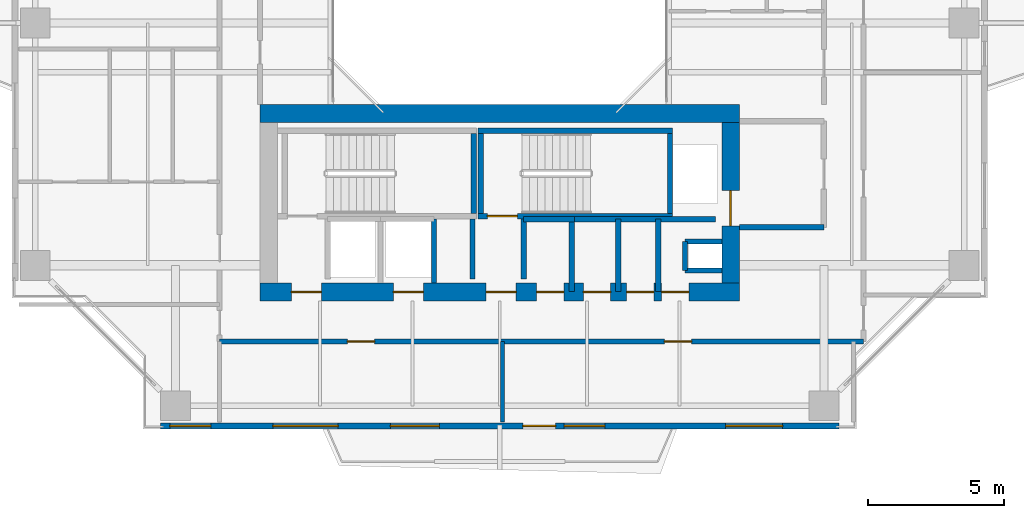
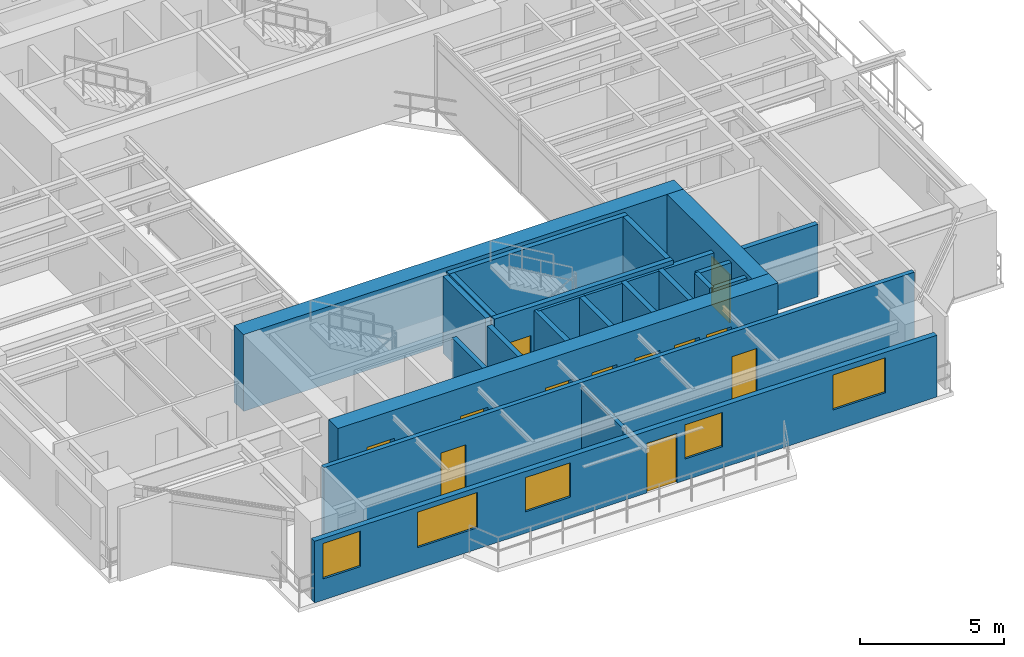
# One storey, part 10 of 17: 23 walls, 12 doors, 5 windows, 17 openings.
"""IFC4 building model written with IfcOpenShell, lengths in metres."""

import ifcopenshell
import ifcopenshell.guid

model = None  # the IFC model being written
_history = None  # IfcOwnerHistory: only IFC2X3 demands one
_inside = {}  # id of a spatial element -> (the spatial element, [elements in it])
_under = {}  # id of a project, library or spatial element -> (it, [spatial elements below it])
_declared = {}  # id of a project -> (the project, [libraries it declares])
_typed = {}  # id of a type object -> (the type object, [elements of that type])
_made_of = {}  # id of a material, layer set ... -> (it, [elements and type objects made of it])


def new_model(schema):
    """Start an empty IFC model of exactly this schema.

    Asked for "IFC4X3", IfcOpenShell would pick the latest addendum, in which some entities
    have other attributes; the version numbers below select the first issue.
    IFC2X3 requires an IfcOwnerHistory on every rooted entity: one is made here for all.
    """
    global model, _history
    if schema == "IFC4X3":
        model = ifcopenshell.file(schema_version=(4, 3, 0, 0))
    else:
        model = ifcopenshell.file(schema=schema)
    _inside.clear()
    _under.clear()
    _declared.clear()
    _typed.clear()
    _made_of.clear()
    _history = None
    if model.schema == "IFC2X3":
        org = make("IfcOrganization", Name="unknown")
        user = make(
            "IfcPersonAndOrganization",
            ThePerson=make("IfcPerson", FamilyName="unknown"),
            TheOrganization=org,
        )
        app = make(
            "IfcApplication",
            ApplicationDeveloper=org,
            Version="unknown",
            ApplicationFullName="unknown",
            ApplicationIdentifier="unknown",
        )
        _history = make(
            "IfcOwnerHistory",
            OwningUser=user,
            OwningApplication=app,
            ChangeAction="ADDED",
            CreationDate=0,
        )
    return model


def make(cls, **values):
    """One entity of the class cls with the attributes given. An attribute that is None is left unset."""
    return model.create_entity(
        cls, **{name: value for name, value in values.items() if value is not None}
    )


def rooted(cls, **values):
    """An entity with a GlobalId (a new one), such as an element, a storey or a relation."""
    return make(cls, GlobalId=ifcopenshell.guid.new(), OwnerHistory=_history, **values)


def si_unit(unit_type, name, prefix=None):
    """IfcSIUnit, for example si_unit("LENGTHUNIT", "METRE", prefix="MILLI")."""
    return make("IfcSIUnit", UnitType=unit_type, Prefix=prefix, Name=name)


def assignment(units):
    """IfcUnitAssignment: the units of a project."""
    return None if units is None else make("IfcUnitAssignment", Units=units)


def point(xyz):
    """IfcCartesianPoint."""
    return None if xyz is None else make("IfcCartesianPoint", Coordinates=xyz)


def direction(xyz):
    """IfcDirection."""
    return None if xyz is None else make("IfcDirection", DirectionRatios=xyz)


def frame(location, z_axis=None, x_axis=None):
    """IfcAxis2Placement3D, a coordinate frame: its origin and axes. An axis left out is left unset."""
    return make(
        "IfcAxis2Placement3D",
        Location=point(location),
        Axis=direction(z_axis),
        RefDirection=direction(x_axis),
    )


def frame_2d(location, x_axis=None):
    """IfcAxis2Placement2D, a coordinate frame in the plane: its origin and x axis."""
    return make(
        "IfcAxis2Placement2D", Location=point(location), RefDirection=direction(x_axis)
    )


def origin():
    """The frame at (0, 0, 0) with its axes left unset."""
    return frame((0.0, 0.0, 0.0))


def place(relative_to, where):
    """IfcLocalPlacement: puts the frame where relative to a parent placement (None: the world)."""
    return make(
        "IfcLocalPlacement", PlacementRelTo=relative_to, RelativePlacement=where
    )


def context(
    kind, dimensions, precision=None, world=None, true_north=None, identifier=None
):
    """IfcGeometricRepresentationContext, for example the 3D "Model" context."""
    return make(
        "IfcGeometricRepresentationContext",
        ContextIdentifier=identifier,
        ContextType=kind,
        CoordinateSpaceDimension=dimensions,
        Precision=precision,
        WorldCoordinateSystem=world,
        TrueNorth=true_north,
    )


def subcontext(parent, identifier, kind, view, scale=None):
    """IfcGeometricRepresentationSubContext, for example "Body" below "Model"."""
    return make(
        "IfcGeometricRepresentationSubContext",
        ContextIdentifier=identifier,
        ContextType=kind,
        ParentContext=parent,
        TargetScale=scale,
        TargetView=view,
    )


def project(units=None, contexts=None):
    """IfcProject with its units and contexts."""
    return rooted(
        "IfcProject",
        Name="project",
        RepresentationContexts=contexts,
        UnitsInContext=assignment(units),
    )


def spatial(cls, under=None, at=None, **own):
    """A site, building, storey or space (cls), placed at a placement, below another one or the project."""
    s = rooted(cls, ObjectPlacement=at, **own)
    if under is not None:
        _under.setdefault(under.id(), (under, []))[1].append(s)
    return s


def profile(cls, at=None, kind="AREA", **sizes):
    """A parametric profile (cls). Its sizes go by their IFC names, for example OverallWidth=200.0."""
    return make(cls, ProfileType=kind, Position=at, **sizes)


def rectangle(**sizes):
    """IfcRectangleProfileDef."""
    return profile("IfcRectangleProfileDef", **sizes)


def extrude(swept, where, along, depth):
    """IfcExtrudedAreaSolid: the profile swept, set in the frame where, extruded along a direction by depth."""
    return make(
        "IfcExtrudedAreaSolid",
        SweptArea=swept,
        Position=where,
        ExtrudedDirection=direction(along),
        Depth=depth,
    )


def shape(context_of_items, identifier, shape_type, items):
    """IfcShapeRepresentation: the items that make up one representation, for example the "Body"."""
    return make(
        "IfcShapeRepresentation",
        ContextOfItems=context_of_items,
        RepresentationIdentifier=identifier,
        RepresentationType=shape_type,
        Items=items,
    )


def source(mapping_origin, context_of_items, identifier, shape_type, items):
    """IfcRepresentationMap: a shape defined once, which mapped items show again and again."""
    return make(
        "IfcRepresentationMap",
        MappingOrigin=mapping_origin,
        MappedRepresentation=shape(context_of_items, identifier, shape_type, items),
    )


def transform(
    local_origin,
    x_axis=None,
    y_axis=None,
    z_axis=None,
    scale=None,
    scale2=None,
    scale3=None,
    uniform=True,
):
    """IfcCartesianTransformationOperator3D, or its non-uniform kind. x_axis, y_axis, z_axis: its Axis1, 2, 3."""
    if uniform:
        return make(
            "IfcCartesianTransformationOperator3D",
            Axis1=direction(x_axis),
            Axis2=direction(y_axis),
            LocalOrigin=point(local_origin),
            Scale=scale,
            Axis3=direction(z_axis),
        )
    return make(
        "IfcCartesianTransformationOperator3DnonUniform",
        Axis1=direction(x_axis),
        Axis2=direction(y_axis),
        LocalOrigin=point(local_origin),
        Scale=scale,
        Axis3=direction(z_axis),
        Scale2=scale2,
        Scale3=scale3,
    )


def mapped(mapping_source, mapping_target):
    """IfcMappedItem: shows the shape of a source again, moved by a transform."""
    return make(
        "IfcMappedItem", MappingSource=mapping_source, MappingTarget=mapping_target
    )


def material(Name=None, Category=None):
    """IfcMaterial."""
    return make("IfcMaterial", Name=Name, Category=Category)


def layer(
    of_material, thickness, ventilated=None, Name=None, Category=None, Priority=None
):
    """IfcMaterialLayer: one layer of a wall or slab, of a material (None: an air gap)."""
    return make(
        "IfcMaterialLayer",
        Material=of_material,
        LayerThickness=thickness,
        IsVentilated=ventilated,
        Name=Name,
        Category=Category,
        Priority=Priority,
    )


def layer_set(layers, Name=None):
    """IfcMaterialLayerSet."""
    return make("IfcMaterialLayerSet", MaterialLayers=layers, LayerSetName=Name)


def made_of(thing, what):
    """Note that an element or type object is made of a material, layer set ...; save() writes the relation."""
    if what is not None:
        _made_of.setdefault(what.id(), (what, []))[1].append(thing)
    return thing


def type_object(cls, material=None, **own):
    """A type object (cls), such as IfcWallType, which elements share."""
    return made_of(rooted(cls, **own), material)


def element(
    cls,
    number,
    at=None,
    inside=None,
    cuts=None,
    type_object=None,
    material=None,
    context=None,
    identifier="Body",
    shape_type=None,
    held_by="IfcProductDefinitionShape",
    body=None,
    shapes=None,
    **own,
):
    """One element of the class cls, such as IfcWall. Its Tag is "e" and its number.

    at: its placement. inside: the storey or other place that contains it. cuts: it is an
    opening in that element (IfcRelVoidsElement). A single representation is given by context,
    identifier, shape_type and body (its items); several are given by shapes. held_by: the class
    of the entity that holds the representations. save() writes the other relations.
    """
    e = rooted(cls, Tag="e%d" % number, ObjectPlacement=at, **own)
    if body is not None:
        shapes = [shape(context, identifier, shape_type, body)]
    if shapes is not None:
        e.Representation = make(held_by, Representations=shapes)
    if inside is not None:
        _inside.setdefault(inside.id(), (inside, []))[1].append(e)
    if cuts is not None:
        rooted(
            "IfcRelVoidsElement", RelatingBuildingElement=cuts, RelatedOpeningElement=e
        )
    if type_object is not None:
        _typed.setdefault(type_object.id(), (type_object, []))[1].append(e)
    return made_of(e, material)


def fill(opening, filler):
    """IfcRelFillsElement: the door or window that sits in an opening."""
    return rooted(
        "IfcRelFillsElement",
        RelatingOpeningElement=opening,
        RelatedBuildingElement=filler,
    )


def aggregate(whole, parts):
    """IfcRelAggregates: a whole, such as a stair, and the parts it consists of."""
    return rooted("IfcRelAggregates", RelatingObject=whole, RelatedObjects=parts)


def save(model, path):
    """Write the relations noted so far, then the file.

    IfcRelAggregates (storeys below a building ...), IfcRelContainedInSpatialStructure (elements
    in a storey), IfcRelDefinesByType, IfcRelAssociatesMaterial and IfcRelDeclares: one each for
    every whole, place, type object, material and project.
    """
    for whole, parts in _under.values():
        aggregate(whole, parts)
    for where, things in _inside.values():
        rooted(
            "IfcRelContainedInSpatialStructure",
            RelatedElements=things,
            RelatingStructure=where,
        )
    for kind, things in _typed.values():
        rooted("IfcRelDefinesByType", RelatedObjects=things, RelatingType=kind)
    for what, things in _made_of.values():
        rooted("IfcRelAssociatesMaterial", RelatedObjects=things, RelatingMaterial=what)
    for by, libraries in _declared.values():
        rooted("IfcRelDeclares", RelatingContext=by, RelatedDefinitions=libraries)
    model.write(path)


model = new_model("IFC4")

# Units and contexts
model_context = context("Model", 3, precision=1e-05, world=origin(), true_north=direction((0.0, 1.0)))
body_context = subcontext(model_context, "Body", "Model", "MODEL_VIEW")
ifc_project = project(units=[si_unit("LENGTHUNIT", "METRE"), si_unit("AREAUNIT", "SQUARE_METRE"), si_unit("VOLUMEUNIT", "CUBIC_METRE"), si_unit("PLANEANGLEUNIT", "RADIAN"), si_unit("MASSUNIT", "GRAM", prefix="KILO"), si_unit("THERMODYNAMICTEMPERATUREUNIT", "KELVIN"), si_unit("POWERUNIT", "WATT")], contexts=[model_context])

# Site, building, storey
site_placement = place(None, origin())
site = spatial("IfcSite", under=ifc_project, at=site_placement, CompositionType="ELEMENT")
building_placement = place(site_placement, origin())
building = spatial("IfcBuilding", under=site, at=building_placement, Name="Qiaomeng Ring Towers", CompositionType="ELEMENT")
storey_placement = place(building_placement, frame((0.0, 0.0, 123.0)))
storey = spatial("IfcBuildingStorey", under=building, at=storey_placement, Name="L35", CompositionType="ELEMENT", Elevation=123.0)

# Wall, openings, windows, door
ifc_material_1 = material(Name="Precast concrete C40", Category="concrete")
ifc_layer_1 = layer(ifc_material_1, 0.219970703125, Name="Precast concrete C40")
ifc_layer_set_1 = layer_set([ifc_layer_1], Name="Precast concrete C40")
wall_type_1 = type_object("IfcWallType", Name="ARC-WL-EW2", PredefinedType="STANDARD", material=ifc_layer_set_1)
wall_1_placement = place(storey_placement, frame((6.550048828125, 5.2099609375, 0.0), z_axis=(0.0, 0.0, 1.0), x_axis=(1.0, 0.0, 0.0)))
wall_1 = element("IfcWall", 1, at=wall_1_placement, inside=storey, type_object=wall_type_1, Name="L35 Tower 1 S Exterior Wall", PredefinedType="STANDARD", context=body_context, shape_type="SweptSolid", body=[
    extrude(rectangle(XDim=24.89990234375, YDim=0.219970703125, at=frame_2d((12.449951171875, 0.0))), origin(), (0.0, 0.0, 1.0), 2.610107421875),
])
opening_1_placement = place(wall_1_placement, frame((13.300048828125, 0.0, 0.0)))
opening_1 = element("IfcOpeningElement", 2, at=opening_1_placement, cuts=wall_1, Name="Opening BD1", PredefinedType="OPENING", context=body_context, shape_type="SweptSolid", body=[
    extrude(rectangle(XDim=1.199951171875, YDim=2.10009765625, at=frame_2d((0.60009765625, 1.050048828125))), frame((0.0, 0.119873046875, 0.0), z_axis=(0.0, -1.0, 0.0), x_axis=(1.0, 0.0, 0.0)), (0.0, 0.0, 1.0), 0.239990234375),
])
opening_2_placement = place(wall_1_placement, frame((0.342529296875, 0.0, 0.89990234375)))
opening_2 = element("IfcOpeningElement", 3, at=opening_2_placement, cuts=wall_1, Name="Opening WN2", PredefinedType="OPENING", context=body_context, shape_type="SweptSolid", body=[
    extrude(rectangle(XDim=1.5, YDim=1.5, at=frame_2d((0.75, 0.75))), frame((0.0, 0.119873046875, 0.0), z_axis=(0.0, -1.0, 0.0), x_axis=(1.0, 0.0, 0.0)), (0.0, 0.0, 1.0), 0.239990234375),
])
opening_3_placement = place(wall_1_placement, frame((8.43798828125, 0.0, 0.89990234375)))
opening_3 = element("IfcOpeningElement", 4, at=opening_3_placement, cuts=wall_1, Name="Opening WN1", PredefinedType="OPENING", context=body_context, shape_type="SweptSolid", body=[
    extrude(rectangle(XDim=1.800048828125, YDim=1.449951171875, at=frame_2d((0.89990234375, 0.72509765625))), frame((0.0, 0.119873046875, 0.0), z_axis=(0.0, -1.0, 0.0), x_axis=(1.0, 0.0, 0.0)), (0.0, 0.0, 1.0), 0.239990234375),
])
opening_4_placement = place(wall_1_placement, frame((14.81298828125, 0.0, 0.89990234375)))
opening_4 = element("IfcOpeningElement", 5, at=opening_4_placement, cuts=wall_1, Name="Opening WN2", PredefinedType="OPENING", context=body_context, shape_type="SweptSolid", body=[
    extrude(rectangle(XDim=1.5, YDim=1.449951171875, at=frame_2d((0.75, 0.72509765625))), frame((0.0, 0.119873046875, 0.0), z_axis=(0.0, -1.0, 0.0), x_axis=(1.0, 0.0, 0.0)), (0.0, 0.0, 1.0), 0.239990234375),
])
opening_5_placement = place(wall_1_placement, frame((20.738037109375, 0.0, 0.89990234375)))
opening_5 = element("IfcOpeningElement", 6, at=opening_5_placement, cuts=wall_1, Name="Opening WN4", PredefinedType="OPENING", context=body_context, shape_type="SweptSolid", body=[
    extrude(rectangle(XDim=2.10009765625, YDim=1.47998046875, at=frame_2d((1.050048828125, 0.739990234375))), frame((0.0, 0.119873046875, 0.0), z_axis=(0.0, -1.0, 0.0), x_axis=(1.0, 0.0, 0.0)), (0.0, 0.0, 1.0), 0.239990234375),
])
opening_6_placement = place(wall_1_placement, frame((4.12158203125, 0.0, 0.89990234375)))
opening_6 = element("IfcOpeningElement", 7, at=opening_6_placement, cuts=wall_1, Name="Opening WN6", PredefinedType="OPENING", context=body_context, shape_type="SweptSolid", body=[
    extrude(rectangle(XDim=2.39990234375, YDim=1.5, at=frame_2d((1.199951171875, 0.75))), frame((0.0, 0.119873046875, 0.0), z_axis=(0.0, -1.0, 0.0), x_axis=(1.0, 0.0, 0.0)), (0.0, 0.0, 1.0), 0.239990234375),
])
ifc_material_2 = material(Name="Low-E dark-grey laminated double glazing", Category="glass")
window_type_1 = type_object("IfcWindowType", Name="ARC-WN-2", PartitioningType="DOUBLE_PANEL_VERTICAL", PredefinedType="WINDOW", material=ifc_material_2)
shared_shape_1 = source(origin(), body_context, "Body", "SweptSolid", [
    extrude(rectangle(XDim=1.5, YDim=1.449951171875, at=frame_2d((0.75, 0.72509765625))), frame((0.0, 0.030029296875, 0.0), z_axis=(0.0, -1.0, 0.0), x_axis=(1.0, 0.0, 0.0)), (0.0, 0.0, 1.0), 0.06005859375),
])
window_1_placement = place(opening_4_placement, origin())
window_1 = element("IfcWindow", 8, at=window_1_placement, inside=storey, type_object=window_type_1, Name="L35 Exterior Window WN2", OverallHeight=1.449951171875, OverallWidth=1.5, PartitioningType="DOUBLE_PANEL_VERTICAL", PredefinedType="WINDOW", context=body_context, shape_type="MappedRepresentation", body=[
    mapped(shared_shape_1, transform((0.0, 0.0, 0.0), x_axis=(1.0, 0.0, 0.0), y_axis=(0.0, 1.0, 0.0), z_axis=(0.0, 0.0, 1.0), scale=1.0)),
])
fill(opening_4, window_1)
window_type_2 = type_object("IfcWindowType", Name="ARC-WN-4", PartitioningType="TRIPLE_PANEL_VERTICAL", PredefinedType="WINDOW", material=ifc_material_2)
shared_shape_2 = source(origin(), body_context, "Body", "SweptSolid", [
    extrude(rectangle(XDim=2.10009765625, YDim=1.47998046875, at=frame_2d((1.050048828125, 0.739990234375))), frame((0.0, 0.030029296875, 0.0), z_axis=(0.0, -1.0, 0.0), x_axis=(1.0, 0.0, 0.0)), (0.0, 0.0, 1.0), 0.06005859375),
])
window_2_placement = place(opening_5_placement, origin())
window_2 = element("IfcWindow", 9, at=window_2_placement, inside=storey, type_object=window_type_2, Name="L35 Exterior Window WN4", OverallHeight=1.47998046875, OverallWidth=2.10009765625, PartitioningType="TRIPLE_PANEL_VERTICAL", PredefinedType="WINDOW", context=body_context, shape_type="MappedRepresentation", body=[
    mapped(shared_shape_2, transform((0.0, 0.0, 0.0), x_axis=(1.0, 0.0, 0.0), y_axis=(0.0, 1.0, 0.0), z_axis=(0.0, 0.0, 1.0), scale=1.0)),
])
fill(opening_5, window_2)
window_type_3 = type_object("IfcWindowType", Name="ARC-WN-1", PartitioningType="DOUBLE_PANEL_VERTICAL", PredefinedType="WINDOW", material=ifc_material_2)
shared_shape_3 = source(origin(), body_context, "Body", "SweptSolid", [
    extrude(rectangle(XDim=1.800048828125, YDim=1.449951171875, at=frame_2d((0.89990234375, 0.72509765625))), frame((0.0, 0.030029296875, 0.0), z_axis=(0.0, -1.0, 0.0), x_axis=(1.0, 0.0, 0.0)), (0.0, 0.0, 1.0), 0.06005859375),
])
window_3_placement = place(opening_3_placement, origin())
window_3 = element("IfcWindow", 10, at=window_3_placement, inside=storey, type_object=window_type_3, Name="L35 Exterior Window WN1", OverallHeight=1.449951171875, OverallWidth=1.800048828125, PartitioningType="DOUBLE_PANEL_VERTICAL", PredefinedType="WINDOW", context=body_context, shape_type="MappedRepresentation", body=[
    mapped(shared_shape_3, transform((0.0, 0.0, 0.0), x_axis=(1.0, 0.0, 0.0), y_axis=(0.0, 1.0, 0.0), z_axis=(0.0, 0.0, 1.0), scale=1.0)),
])
fill(opening_3, window_3)
door_type_1 = type_object("IfcDoorType", Name="ARC-DR-BD1", OperationType="NOTDEFINED", PredefinedType="DOOR", material=ifc_material_2)
shared_shape_4 = source(origin(), body_context, "Body", "SweptSolid", [
    extrude(rectangle(XDim=1.199951171875, YDim=2.10009765625, at=frame_2d((0.60009765625, 1.050048828125))), frame((0.0, 0.02490234375, 0.0), z_axis=(0.0, -1.0, 0.0), x_axis=(1.0, 0.0, 0.0)), (0.0, 0.0, 1.0), 0.050048828125),
])
door_1_placement = place(opening_1_placement, frame((1.199951171875, 0.0, 0.0), z_axis=(0.0, 0.0, 1.0), x_axis=(-1.0, 0.0, 0.0)))
door_1 = element("IfcDoor", 11, at=door_1_placement, inside=storey, type_object=door_type_1, Name="L35 S Balcony Glazed Door", OperationType="SINGLE_SWING_LEFT", OverallHeight=2.10009765625, OverallWidth=1.199951171875, PredefinedType="DOOR", context=body_context, shape_type="MappedRepresentation", body=[
    mapped(shared_shape_4, transform((0.0, 0.0, 0.0), x_axis=(1.0, 0.0, 0.0), y_axis=(0.0, 1.0, 0.0), z_axis=(0.0, 0.0, 1.0), scale=1.0)),
])
fill(opening_1, door_1)
shared_shape_5 = source(origin(), body_context, "Body", "SweptSolid", [
    extrude(rectangle(XDim=1.5, YDim=1.5, at=frame_2d((0.75, 0.75))), frame((0.0, 0.030029296875, 0.0), z_axis=(0.0, -1.0, 0.0), x_axis=(1.0, 0.0, 0.0)), (0.0, 0.0, 1.0), 0.06005859375),
])
window_4_placement = place(opening_2_placement, origin())
window_4 = element("IfcWindow", 12, at=window_4_placement, inside=storey, type_object=window_type_1, Name="L35 Exterior Window WN6", OverallHeight=1.5, OverallWidth=1.5, PartitioningType="TRIPLE_PANEL_VERTICAL", PredefinedType="WINDOW", context=body_context, shape_type="MappedRepresentation", body=[
    mapped(shared_shape_5, transform((0.0, 0.0, 0.0), x_axis=(1.0, 0.0, 0.0), y_axis=(0.0, 1.0, 0.0), z_axis=(0.0, 0.0, 1.0), scale=1.0)),
])
fill(opening_2, window_4)
window_type_4 = type_object("IfcWindowType", Name="ARC-WN-6", PartitioningType="TRIPLE_PANEL_VERTICAL", PredefinedType="WINDOW", material=ifc_material_2)
shared_shape_6 = source(origin(), body_context, "Body", "SweptSolid", [
    extrude(rectangle(XDim=2.39990234375, YDim=1.5, at=frame_2d((1.199951171875, 0.75))), frame((0.0, 0.030029296875, 0.0), z_axis=(0.0, -1.0, 0.0), x_axis=(1.0, 0.0, 0.0)), (0.0, 0.0, 1.0), 0.06005859375),
])
window_5_placement = place(opening_6_placement, origin())
window_5 = element("IfcWindow", 13, at=window_5_placement, inside=storey, type_object=window_type_4, Name="L35 Exterior Window WN6", OverallHeight=1.5, OverallWidth=2.39990234375, PartitioningType="TRIPLE_PANEL_VERTICAL", PredefinedType="WINDOW", context=body_context, shape_type="MappedRepresentation", body=[
    mapped(shared_shape_6, transform((0.0, 0.0, 0.0), x_axis=(1.0, 0.0, 0.0), y_axis=(0.0, 1.0, 0.0), z_axis=(0.0, 0.0, 1.0), scale=1.0)),
])
fill(opening_6, window_5)

# Walls
ifc_material_3 = material(Name="Autoclaved aerated concrete block", Category="concrete")
ifc_layer_2 = layer(ifc_material_3, 0.199951171875, Name="Autoclaved aerated concrete block")
ifc_layer_set_2 = layer_set([ifc_layer_2], Name="Autoclaved aerated concrete block")
wall_type_2 = type_object("IfcWallType", Name="ARC-WL-PW1", PredefinedType="PARTITIONING", material=ifc_layer_set_2)
wall_2_placement = place(storey_placement, frame((27.800048828125, 12.5, 0.0), z_axis=(0.0, 0.0, 1.0), x_axis=(1.0, 0.0, 0.0)))
element("IfcWall", 14, at=wall_2_placement, inside=storey, type_object=wall_type_2, Name="L35 Interior Wall PW1", PredefinedType="PARTITIONING", context=body_context, shape_type="SweptSolid", body=[
    extrude(rectangle(XDim=3.099853515625, YDim=0.199951171875, at=frame_2d((1.5498046875, 0.0))), origin(), (0.0, 0.0, 1.0), 3.070068359375),
])
for number, where, z_axis, x_axis, name in (
    (15, (18.0, 10.60009765625, 0.0), (0.0, 0.0, 1.0), (0.0, 1.0, 0.0), "L35 Interior Wall PW1"),
    (16, (19.8798828125, 10.60009765625, 0.0), (0.0, 0.0, 1.0), (0.0, 1.0, 0.0), "L35 Interior Wall PW1"),
):
    element("IfcWall", number, at=place(storey_placement, frame(where, z_axis=z_axis, x_axis=x_axis)), inside=storey, type_object=wall_type_2, Name=name, PredefinedType="PARTITIONING", context=body_context, shape_type="SweptSolid", body=[
        extrude(rectangle(XDim=2.2099609375, YDim=0.199951171875, at=frame_2d((1.10498046875, 0.0))), origin(), (0.0, 0.0, 1.0), 3.070068359375),
    ])
wall_3_placement = place(storey_placement, frame((24.820068359375, 10.14990234375, 0.0), z_axis=(0.0, 0.0, 1.0), x_axis=(0.0, 1.0, 0.0)))
element("IfcWall", 17, at=wall_3_placement, inside=storey, type_object=wall_type_2, Name="L35 Interior Wall PW1", PredefinedType="PARTITIONING", context=body_context, shape_type="SweptSolid", body=[
    extrude(rectangle(XDim=2.650146484375, YDim=0.199951171875, at=frame_2d((1.3251953125, 0.0))), origin(), (0.0, 0.0, 1.0), 3.070068359375),
])
wall_4_placement = place(storey_placement, frame((19.8798828125, 12.800048828125, 0.0), z_axis=(0.0, 0.0, 1.0), x_axis=(1.0, 0.0, 0.0)))
element("IfcWall", 18, at=wall_4_placement, inside=storey, type_object=wall_type_2, Name="L35 Interior Wall PW1", PredefinedType="PARTITIONING", context=body_context, shape_type="SweptSolid", body=[
    extrude(rectangle(XDim=1.8701171875, YDim=0.199951171875, at=frame_2d((0.93505859375, 0.0))), origin(), (0.0, 0.0, 1.0), 3.070068359375),
])
for number, where, z_axis, x_axis, name in (
    (19, (21.639892578125, 10.14990234375, 0.0), (0.0, 0.0, 1.0), (0.0, 1.0, 0.0), "L35 Interior Wall PW1"),
    (20, (23.35009765625, 10.14990234375, 0.0), (0.0, 0.0, 1.0), (0.0, 1.0, 0.0), "L35 Interior Wall PW1"),
):
    element("IfcWall", number, at=place(storey_placement, frame(where, z_axis=z_axis, x_axis=x_axis)), inside=storey, type_object=wall_type_2, Name=name, PredefinedType="PARTITIONING", context=body_context, shape_type="SweptSolid", body=[
        extrude(rectangle(XDim=2.650146484375, YDim=0.199951171875, at=frame_2d((1.3251953125, 0.0))), origin(), (0.0, 0.0, 1.0), 3.070068359375),
    ])
wall_5_placement = place(storey_placement, frame((21.75, 12.800048828125, 0.0), z_axis=(0.0, 0.0, 1.0), x_axis=(1.0, 0.0, 0.0)))
element("IfcWall", 21, at=wall_5_placement, inside=storey, type_object=wall_type_2, Name="L35 Interior Wall PW1", PredefinedType="PARTITIONING", context=body_context, shape_type="SweptSolid", body=[
    extrude(rectangle(XDim=5.169921875, YDim=0.199951171875, at=frame_2d((2.5849609375, 0.0))), origin(), (0.0, 0.0, 1.0), 3.070068359375),
])

# Wall, openings, doors
ifc_layer_3 = layer(ifc_material_3, 0.179931640625, Name="Autoclaved aerated concrete block")
ifc_layer_set_3 = layer_set([ifc_layer_3], Name="Autoclaved aerated concrete block")
wall_type_3 = type_object("IfcWallType", Name="ARC-WL-PW2", PredefinedType="PARTITIONING", material=ifc_layer_set_3)
wall_6_placement = place(storey_placement, frame((8.719970703125, 8.31005859375, 0.0), z_axis=(0.0, 0.0, 1.0), x_axis=(1.0, 0.0, 0.0)))
wall_6 = element("IfcWall", 22, at=wall_6_placement, inside=storey, type_object=wall_type_3, Name="L35 Interior Wall PW2", PredefinedType="PARTITIONING", context=body_context, shape_type="SweptSolid", body=[
    extrude(rectangle(XDim=23.630126953125, YDim=0.179931640625, at=frame_2d((11.81494140625, 0.0))), origin(), (0.0, 0.0, 1.0), 3.070068359375),
])
opening_7_placement = place(wall_6_placement, frame((4.68994140625, 0.0, 0.0)))
opening_7 = element("IfcOpeningElement", 23, at=opening_7_placement, cuts=wall_6, Name="Opening FD4", PredefinedType="OPENING", context=body_context, shape_type="SweptSolid", body=[
    extrude(rectangle(XDim=1.0, YDim=2.050048828125, at=frame_2d((0.5, 1.02490234375))), frame((0.0, 0.099853515625, 0.0), z_axis=(0.0, -1.0, 0.0), x_axis=(1.0, 0.0, 0.0)), (0.0, 0.0, 1.0), 0.199951171875),
])
opening_8_placement = place(wall_6_placement, frame((16.320068359375, 0.0, 0.0)))
opening_8 = element("IfcOpeningElement", 24, at=opening_8_placement, cuts=wall_6, Name="Opening FD4", PredefinedType="OPENING", context=body_context, shape_type="SweptSolid", body=[
    extrude(rectangle(XDim=1.0, YDim=2.050048828125, at=frame_2d((0.5, 1.02490234375))), frame((0.0, 0.099853515625, 0.0), z_axis=(0.0, -1.0, 0.0), x_axis=(1.0, 0.0, 0.0)), (0.0, 0.0, 1.0), 0.199951171875),
])
ifc_material_4 = material(Name="Engineered fire-rated oak timber", Category="wood")
door_type_2 = type_object("IfcDoorType", Name="ARC-DR-FD4", OperationType="NOTDEFINED", PredefinedType="DOOR", material=ifc_material_4)
shared_shape_7 = source(origin(), body_context, "Body", "SweptSolid", [
    extrude(rectangle(XDim=1.0, YDim=2.050048828125, at=frame_2d((0.5, 1.02490234375))), frame((0.0, 0.02490234375, 0.0), z_axis=(0.0, -1.0, 0.0), x_axis=(1.0, 0.0, 0.0)), (0.0, 0.0, 1.0), 0.050048828125),
])
door_2_placement = place(opening_7_placement, origin())
door_2 = element("IfcDoor", 25, at=door_2_placement, inside=storey, type_object=door_type_2, Name="L35 Door FD4", OperationType="SINGLE_SWING_RIGHT", OverallHeight=2.050048828125, OverallWidth=1.0, PredefinedType="DOOR", context=body_context, shape_type="MappedRepresentation", body=[
    mapped(shared_shape_7, transform((0.0, 0.0, 0.0), x_axis=(1.0, 0.0, 0.0), y_axis=(0.0, 1.0, 0.0), z_axis=(0.0, 0.0, 1.0), scale=1.0)),
])
fill(opening_7, door_2)
door_3_placement = place(opening_8_placement, origin())
door_3 = element("IfcDoor", 26, at=door_3_placement, inside=storey, type_object=door_type_2, Name="L35 Door FD4", OperationType="SINGLE_SWING_LEFT", OverallHeight=2.050048828125, OverallWidth=1.0, PredefinedType="DOOR", context=body_context, shape_type="MappedRepresentation", body=[
    mapped(shared_shape_7, transform((0.0, 0.0, 0.0), x_axis=(1.0, 0.0, 0.0), y_axis=(0.0, 1.0, 0.0), z_axis=(0.0, 0.0, 1.0), scale=1.0)),
])
fill(opening_8, door_3)

# Walls
ifc_material_5 = material(Name="Gypsum fireboard steel-stud partition", Category="steel")
ifc_layer_4 = layer(ifc_material_5, 0.14990234375, Name="Gypsum fireboard steel-stud partition")
ifc_layer_set_4 = layer_set([ifc_layer_4], Name="Gypsum fireboard steel-stud partition")
wall_type_4 = type_object("IfcWallType", Name="ARC-WL-PW3", PredefinedType="PARTITIONING", material=ifc_layer_set_4)
wall_7_placement = place(storey_placement, frame((19.10009765625, 5.35009765625, 0.0), z_axis=(0.0, 0.0, 1.0), x_axis=(0.0, 1.0, 0.0)))
element("IfcWall", 27, at=wall_7_placement, inside=storey, type_object=wall_type_4, Name="L35 Interior Wall PW3", PredefinedType="PARTITIONING", context=body_context, shape_type="SweptSolid", body=[
    extrude(rectangle(XDim=2.9599609375, YDim=0.14990234375, at=frame_2d((1.47998046875, 0.0))), origin(), (0.0, 0.0, 1.0), 2.864990234375),
])
ifc_material_6 = material(Name="Concrete C40", Category="concrete")
ifc_layer_5 = layer(ifc_material_6, 0.199951171875, Name="Concrete C40")
ifc_layer_set_5 = layer_set([ifc_layer_5], Name="Concrete C40")
wall_type_5 = type_object("IfcWallType", Name="STR-WL-STSHAFT", PredefinedType="SHEAR", material=ifc_layer_set_5)
wall_8_placement = place(storey_placement, frame((25.800048828125, 10.919921875, 0.0), z_axis=(0.0, 0.0, 1.0), x_axis=(0.0, 1.0, 0.0)))
element("IfcWall", 28, at=wall_8_placement, inside=storey, type_object=wall_type_5, Name="L35 Riser RSR1 West Shaft Wall S", PredefinedType="SHEAR", context=body_context, shape_type="SweptSolid", body=[
    extrude(rectangle(XDim=1.06005859375, YDim=0.179931640625, at=frame_2d((0.530029296875, 0.0))), origin(), (0.0, 0.0, 1.0), 3.070068359375),
])
for number, where, z_axis, x_axis, name in (
    (29, (25.800048828125, 11.97998046875, 0.0), (0.0, 0.0, 1.0), (1.0, 0.0, 0.0), "L35 Riser RSR1 North Shaft Wall S"),
    (30, (25.800048828125, 10.919921875, 0.0), (0.0, 0.0, 1.0), (1.0, 0.0, 0.0), "L35 Riser RSR1 South Shaft Wall S"),
):
    element("IfcWall", number, at=place(storey_placement, frame(where, z_axis=z_axis, x_axis=x_axis)), inside=storey, type_object=wall_type_5, Name=name, PredefinedType="SHEAR", context=body_context, shape_type="SweptSolid", body=[
        extrude(rectangle(XDim=1.349853515625, YDim=0.179931640625, at=frame_2d((0.6748046875, 0.0))), origin(), (0.0, 0.0, 1.0), 3.070068359375),
    ])
wall_9_placement = place(storey_placement, frame((16.580078125, 10.449951171875, 0.0), z_axis=(0.0, 0.0, 1.0), x_axis=(0.0, 1.0, 0.0)))
element("IfcWall", 31, at=wall_9_placement, inside=storey, type_object=wall_type_5, Name="L35 Lift LP4 East Shaft Wall", PredefinedType="SHEAR", context=body_context, shape_type="SweptSolid", body=[
    extrude(rectangle(XDim=2.35009765625, YDim=0.179931640625, at=frame_2d((1.175048828125, 0.0))), origin(), (0.0, 0.0, 1.0), 3.070068359375),
])
wall_10_placement = place(storey_placement, frame((18.050048828125, 13.010009765625, 0.0), z_axis=(0.0, 0.0, 1.0), x_axis=(0.0, 1.0, 0.0)))
element("IfcWall", 32, at=wall_10_placement, inside=storey, type_object=wall_type_5, Name="L35 Stair ST3 East Shaft Shear Wall", PredefinedType="SHEAR", context=body_context, shape_type="SweptSolid", body=[
    extrude(rectangle(XDim=2.93994140625, YDim=0.199951171875, at=frame_2d((1.469970703125, 0.0))), origin(), (0.0, 0.0, 1.0), 3.25),
])

# Wall, opening, door
wall_11_placement = place(storey_placement, frame((18.199951171875, 12.909912109375, 0.0), z_axis=(0.0, 0.0, 1.0), x_axis=(1.0, 0.0, 0.0)))
wall_11 = element("IfcWall", 33, at=wall_11_placement, inside=storey, type_object=wall_type_5, Name="L35 Stair ST4 South Shaft Shear Wall", PredefinedType="SHEAR", context=body_context, shape_type="SweptSolid", body=[
    extrude(rectangle(XDim=7.150146484375, YDim=0.199951171875, at=frame_2d((3.5751953125, 0.0))), origin(), (0.0, 0.0, 1.0), 3.25),
])
opening_9_placement = place(wall_11_placement, frame((0.35009765625, 0.0, 0.0)))
opening_9 = element("IfcOpeningElement", 34, at=opening_9_placement, cuts=wall_11, Name="Opening FD3", PredefinedType="OPENING", context=body_context, shape_type="SweptSolid", body=[
    extrude(rectangle(XDim=1.10009765625, YDim=2.050048828125, at=frame_2d((0.550048828125, 1.02490234375))), frame((0.0, 0.10986328125, 0.0), z_axis=(0.0, -1.0, 0.0), x_axis=(1.0, 0.0, 0.0)), (0.0, 0.0, 1.0), 0.219970703125),
])
ifc_material_7 = material(Name="Galvanised steel", Category="steel")
door_type_3 = type_object("IfcDoorType", Name="ARC-DR-FD3", OperationType="NOTDEFINED", PredefinedType="DOOR", material=ifc_material_7)
shared_shape_8 = source(origin(), body_context, "Body", "SweptSolid", [
    extrude(rectangle(XDim=1.10009765625, YDim=2.050048828125, at=frame_2d((0.550048828125, 1.02490234375))), frame((0.0, 0.02490234375, 0.0), z_axis=(0.0, -1.0, 0.0), x_axis=(1.0, 0.0, 0.0)), (0.0, 0.0, 1.0), 0.050048828125),
])
door_4_placement = place(opening_9_placement, frame((1.10009765625, 0.0, 0.0), z_axis=(0.0, 0.0, 1.0), x_axis=(-1.0, 0.0, 0.0)))
door_4 = element("IfcDoor", 35, at=door_4_placement, inside=storey, type_object=door_type_3, Name="L35 Stair ST4 Exit Door", OperationType="SINGLE_SWING_LEFT", OverallHeight=2.050048828125, OverallWidth=1.10009765625, PredefinedType="DOOR", context=body_context, shape_type="MappedRepresentation", body=[
    mapped(shared_shape_8, transform((0.0, 0.0, 0.0), x_axis=(1.0, 0.0, 0.0), y_axis=(0.0, 1.0, 0.0), z_axis=(0.0, 0.0, 1.0), scale=1.0)),
])
fill(opening_9, door_4)

# Walls
wall_12_placement = place(storey_placement, frame((18.199951171875, 16.050048828125, 0.0), z_axis=(0.0, 0.0, 1.0), x_axis=(1.0, 0.0, 0.0)))
element("IfcWall", 36, at=wall_12_placement, inside=storey, type_object=wall_type_5, Name="L35 Stair ST4 North Shaft Shear Wall", PredefinedType="SHEAR", context=body_context, shape_type="SweptSolid", body=[
    extrude(rectangle(XDim=7.150146484375, YDim=0.199951171875, at=frame_2d((3.5751953125, 0.0))), origin(), (0.0, 0.0, 1.0), 3.25),
])
for number, where, z_axis, x_axis, name in (
    (37, (18.300048828125, 13.010009765625, 0.0), (0.0, 0.0, 1.0), (0.0, 1.0, 0.0), "L35 Stair ST4 West Shaft Shear Wall"),
    (38, (25.25, 13.010009765625, 0.0), (0.0, 0.0, 1.0), (0.0, 1.0, 0.0), "L35 Stair ST4 East Shaft Shear Wall"),
):
    element("IfcWall", number, at=place(storey_placement, frame(where, z_axis=z_axis, x_axis=x_axis)), inside=storey, type_object=wall_type_5, Name=name, PredefinedType="SHEAR", context=body_context, shape_type="SweptSolid", body=[
        extrude(rectangle(XDim=2.93994140625, YDim=0.199951171875, at=frame_2d((1.469970703125, 0.0))), origin(), (0.0, 0.0, 1.0), 3.25),
    ])

# Wall, openings, doors
ifc_material_8 = material(Name="Concrete C55", Category="concrete")
ifc_layer_6 = layer(ifc_material_8, 0.64990234375, Name="Concrete C55")
ifc_layer_set_6 = layer_set([ifc_layer_6], Name="Concrete C55")
wall_type_6 = type_object("IfcWallType", Name="STR-WL-SW2A", PredefinedType="SHEAR", material=ifc_layer_set_6)
wall_13_placement = place(storey_placement, frame((10.199951171875, 10.125, 0.0), z_axis=(0.0, 0.0, 1.0), x_axis=(1.0, 0.0, 0.0)))
wall_13 = element("IfcWall", 39, at=wall_13_placement, inside=storey, type_object=wall_type_6, Name="L35 T1SC south core shear wall", PredefinedType="SHEAR", context=body_context, shape_type="SweptSolid", body=[
    extrude(rectangle(XDim=17.60009765625, YDim=0.64990234375, at=frame_2d((8.800048828125, 0.0))), origin(), (0.0, 0.0, 1.0), 3.25),
])
opening_10_placement = place(wall_13_placement, frame((1.14990234375, 0.0, 0.0)))
opening_10 = element("IfcOpeningElement", 40, at=opening_10_placement, cuts=wall_13, Name="Opening FD3", PredefinedType="OPENING", context=body_context, shape_type="SweptSolid", body=[
    extrude(rectangle(XDim=1.10009765625, YDim=2.050048828125, at=frame_2d((0.550048828125, 1.02490234375))), frame((0.0, 0.3349609375, 0.0), z_axis=(0.0, -1.0, 0.0), x_axis=(1.0, 0.0, 0.0)), (0.0, 0.0, 1.0), 0.669921875),
])
opening_11_placement = place(wall_13_placement, frame((8.300048828125, 0.0, 0.0)))
opening_11 = element("IfcOpeningElement", 41, at=opening_11_placement, cuts=wall_13, Name="Opening FD3", PredefinedType="OPENING", context=body_context, shape_type="SweptSolid", body=[
    extrude(rectangle(XDim=1.10009765625, YDim=2.050048828125, at=frame_2d((0.550048828125, 1.02490234375))), frame((0.0, 0.3349609375, 0.0), z_axis=(0.0, -1.0, 0.0), x_axis=(1.0, 0.0, 0.0)), (0.0, 0.0, 1.0), 0.669921875),
])
opening_12_placement = place(wall_13_placement, frame((4.89990234375, 0.0, 0.0)))
opening_12 = element("IfcOpeningElement", 42, at=opening_12_placement, cuts=wall_13, Name="Opening LD1", PredefinedType="OPENING", context=body_context, shape_type="SweptSolid", body=[
    extrude(rectangle(XDim=1.10009765625, YDim=2.050048828125, at=frame_2d((0.550048828125, 1.02490234375))), frame((0.0, 0.3349609375, 0.0), z_axis=(0.0, -1.0, 0.0), x_axis=(1.0, 0.0, 0.0)), (0.0, 0.0, 1.0), 0.669921875),
])
opening_13_placement = place(wall_13_placement, frame((14.739990234375, 0.0, 0.0)))
opening_13 = element("IfcOpeningElement", 43, at=opening_13_placement, cuts=wall_13, Name="Opening FD1", PredefinedType="OPENING", context=body_context, shape_type="SweptSolid", body=[
    extrude(rectangle(XDim=1.0, YDim=2.050048828125, at=frame_2d((0.5, 1.02490234375))), frame((0.0, 0.3349609375, 0.0), z_axis=(0.0, -1.0, 0.0), x_axis=(1.0, 0.0, 0.0)), (0.0, 0.0, 1.0), 0.669921875),
])
opening_14_placement = place(wall_13_placement, frame((10.155029296875, 0.0, 0.0)))
opening_14 = element("IfcOpeningElement", 44, at=opening_14_placement, cuts=wall_13, Name="Opening FD1", PredefinedType="OPENING", context=body_context, shape_type="SweptSolid", body=[
    extrude(rectangle(XDim=1.0, YDim=2.050048828125, at=frame_2d((0.5, 1.02490234375))), frame((0.0, 0.3349609375, 0.0), z_axis=(0.0, -1.0, 0.0), x_axis=(1.0, 0.0, 0.0)), (0.0, 0.0, 1.0), 0.669921875),
])
opening_15_placement = place(wall_13_placement, frame((11.8701171875, 0.0, 0.0)))
opening_15 = element("IfcOpeningElement", 45, at=opening_15_placement, cuts=wall_13, Name="Opening FD1", PredefinedType="OPENING", context=body_context, shape_type="SweptSolid", body=[
    extrude(rectangle(XDim=1.0, YDim=2.050048828125, at=frame_2d((0.5, 1.02490234375))), frame((0.0, 0.3349609375, 0.0), z_axis=(0.0, -1.0, 0.0), x_axis=(1.0, 0.0, 0.0)), (0.0, 0.0, 1.0), 0.669921875),
])
opening_16_placement = place(wall_13_placement, frame((13.4599609375, 0.0, 0.0)))
opening_16 = element("IfcOpeningElement", 46, at=opening_16_placement, cuts=wall_13, Name="Opening FD1", PredefinedType="OPENING", context=body_context, shape_type="SweptSolid", body=[
    extrude(rectangle(XDim=1.0, YDim=2.050048828125, at=frame_2d((0.5, 1.02490234375))), frame((0.0, 0.3349609375, 0.0), z_axis=(0.0, -1.0, 0.0), x_axis=(1.0, 0.0, 0.0)), (0.0, 0.0, 1.0), 0.669921875),
])
door_5_placement = place(opening_10_placement, origin())
door_5 = element("IfcDoor", 47, at=door_5_placement, inside=storey, type_object=door_type_3, Name="L35 Stair ST3 Lobby Door", OperationType="SINGLE_SWING_RIGHT", OverallHeight=2.050048828125, OverallWidth=1.10009765625, PredefinedType="DOOR", context=body_context, shape_type="MappedRepresentation", body=[
    mapped(shared_shape_8, transform((0.0, 0.0, 0.0), x_axis=(1.0, 0.0, 0.0), y_axis=(0.0, 1.0, 0.0), z_axis=(0.0, 0.0, 1.0), scale=1.0)),
])
fill(opening_10, door_5)
door_6_placement = place(opening_11_placement, origin())
door_6 = element("IfcDoor", 48, at=door_6_placement, inside=storey, type_object=door_type_3, Name="L35 Stair ST4 Lobby Door", OperationType="SINGLE_SWING_RIGHT", OverallHeight=2.050048828125, OverallWidth=1.10009765625, PredefinedType="DOOR", context=body_context, shape_type="MappedRepresentation", body=[
    mapped(shared_shape_8, transform((0.0, 0.0, 0.0), x_axis=(1.0, 0.0, 0.0), y_axis=(0.0, 1.0, 0.0), z_axis=(0.0, 0.0, 1.0), scale=1.0)),
])
fill(opening_11, door_6)
ifc_material_9 = material(Name="Stainless steel 316", Category="steel")
door_type_4 = type_object("IfcDoorType", Name="ARC-DR-LD1", OperationType="NOTDEFINED", PredefinedType="DOOR", material=ifc_material_9)
door_7_placement = place(opening_12_placement, origin())
door_7 = element("IfcDoor", 49, at=door_7_placement, inside=storey, type_object=door_type_4, Name="L35 Mid-Zone Lift LP4 Landing Door", OperationType="SLIDING_TO_RIGHT", OverallHeight=2.050048828125, OverallWidth=1.10009765625, PredefinedType="DOOR", context=body_context, shape_type="MappedRepresentation", body=[
    mapped(shared_shape_8, transform((0.0, 0.0, 0.0), x_axis=(1.0, 0.0, 0.0), y_axis=(0.0, 1.0, 0.0), z_axis=(0.0, 0.0, 1.0), scale=1.0)),
])
fill(opening_12, door_7)
door_type_5 = type_object("IfcDoorType", Name="ARC-DR-FD1", OperationType="NOTDEFINED", PredefinedType="DOOR", material=ifc_material_7)
door_8_placement = place(opening_13_placement, origin())
door_8 = element("IfcDoor", 50, at=door_8_placement, inside=storey, type_object=door_type_5, Name="L35 South Electrical Riser Door", OperationType="SINGLE_SWING_LEFT", OverallHeight=2.050048828125, OverallWidth=1.0, PredefinedType="DOOR", context=body_context, shape_type="MappedRepresentation", body=[
    mapped(shared_shape_7, transform((0.0, 0.0, 0.0), x_axis=(1.0, 0.0, 0.0), y_axis=(0.0, 1.0, 0.0), z_axis=(0.0, 0.0, 1.0), scale=1.0)),
])
fill(opening_13, door_8)
door_9_placement = place(opening_14_placement, origin())
door_9 = element("IfcDoor", 51, at=door_9_placement, inside=storey, type_object=door_type_5, Name="L35 South Break Lounge Door", OperationType="SINGLE_SWING_LEFT", OverallHeight=2.050048828125, OverallWidth=1.0, PredefinedType="DOOR", context=body_context, shape_type="MappedRepresentation", body=[
    mapped(shared_shape_7, transform((0.0, 0.0, 0.0), x_axis=(1.0, 0.0, 0.0), y_axis=(0.0, 1.0, 0.0), z_axis=(0.0, 0.0, 1.0), scale=1.0)),
])
fill(opening_14, door_9)
door_10_placement = place(opening_15_placement, origin())
door_10 = element("IfcDoor", 52, at=door_10_placement, inside=storey, type_object=door_type_5, Name="L35 South Consultation Study Door", OperationType="SINGLE_SWING_RIGHT", OverallHeight=2.050048828125, OverallWidth=1.0, PredefinedType="DOOR", context=body_context, shape_type="MappedRepresentation", body=[
    mapped(shared_shape_7, transform((0.0, 0.0, 0.0), x_axis=(1.0, 0.0, 0.0), y_axis=(0.0, 1.0, 0.0), z_axis=(0.0, 0.0, 1.0), scale=1.0)),
])
fill(opening_15, door_10)
door_11_placement = place(opening_16_placement, origin())
door_11 = element("IfcDoor", 53, at=door_11_placement, inside=storey, type_object=door_type_5, Name="L35 South Tea Pantry Door", OperationType="SINGLE_SWING_LEFT", OverallHeight=2.050048828125, OverallWidth=1.0, PredefinedType="DOOR", context=body_context, shape_type="MappedRepresentation", body=[
    mapped(shared_shape_7, transform((0.0, 0.0, 0.0), x_axis=(1.0, 0.0, 0.0), y_axis=(0.0, 1.0, 0.0), z_axis=(0.0, 0.0, 1.0), scale=1.0)),
])
fill(opening_16, door_11)

# Wall
wall_14_placement = place(storey_placement, frame((10.199951171875, 16.675048828125, 0.0), z_axis=(0.0, 0.0, 1.0), x_axis=(1.0, 0.0, 0.0)))
element("IfcWall", 54, at=wall_14_placement, inside=storey, type_object=wall_type_6, Name="L35 T1SC north core shear wall", PredefinedType="SHEAR", context=body_context, shape_type="SweptSolid", body=[
    extrude(rectangle(XDim=17.60009765625, YDim=0.64990234375, at=frame_2d((8.800048828125, 0.0))), origin(), (0.0, 0.0, 1.0), 3.25),
])

# Wall, opening, door
wall_15_placement = place(storey_placement, frame((27.47509765625, 10.449951171875, 0.0), z_axis=(0.0, 0.0, 1.0), x_axis=(0.0, 1.0, 0.0)))
wall_15 = element("IfcWall", 55, at=wall_15_placement, inside=storey, type_object=wall_type_6, Name="L35 T1SC east core shear wall", PredefinedType="SHEAR", context=body_context, shape_type="SweptSolid", body=[
    extrude(rectangle(XDim=5.900146484375, YDim=0.64990234375, at=frame_2d((2.9501953125, 0.0))), origin(), (0.0, 0.0, 1.0), 3.25),
])
opening_17_placement = place(wall_15_placement, frame((2.10009765625, 0.0, 0.0)))
opening_17 = element("IfcOpeningElement", 56, at=opening_17_placement, cuts=wall_15, Name="Opening LD2", PredefinedType="OPENING", context=body_context, shape_type="SweptSolid", body=[
    extrude(rectangle(XDim=1.300048828125, YDim=2.050048828125, at=frame_2d((0.64990234375, 1.02490234375))), frame((0.0, 0.3349609375, 0.0), z_axis=(0.0, -1.0, 0.0), x_axis=(1.0, 0.0, 0.0)), (0.0, 0.0, 1.0), 0.669921875),
])
door_type_6 = type_object("IfcDoorType", Name="ARC-DR-LD2", OperationType="NOTDEFINED", PredefinedType="DOOR", material=ifc_material_9)
shared_shape_9 = source(origin(), body_context, "Body", "SweptSolid", [
    extrude(rectangle(XDim=1.300048828125, YDim=2.050048828125, at=frame_2d((0.64990234375, 1.02490234375))), frame((0.0, 0.02490234375, 0.0), z_axis=(0.0, -1.0, 0.0), x_axis=(1.0, 0.0, 0.0)), (0.0, 0.0, 1.0), 0.050048828125),
])
door_12_placement = place(opening_17_placement, origin())
door_12 = element("IfcDoor", 57, at=door_12_placement, inside=storey, type_object=door_type_6, Name="L35 Firefighting Lift FL2 Landing Door", OperationType="SLIDING_TO_RIGHT", OverallHeight=2.050048828125, OverallWidth=1.300048828125, PredefinedType="DOOR", context=body_context, shape_type="MappedRepresentation", body=[
    mapped(shared_shape_9, transform((0.0, 0.0, 0.0), x_axis=(1.0, 0.0, 0.0), y_axis=(0.0, 1.0, 0.0), z_axis=(0.0, 0.0, 1.0), scale=1.0)),
])
fill(opening_17, door_12)

save(model, "model.ifc")
